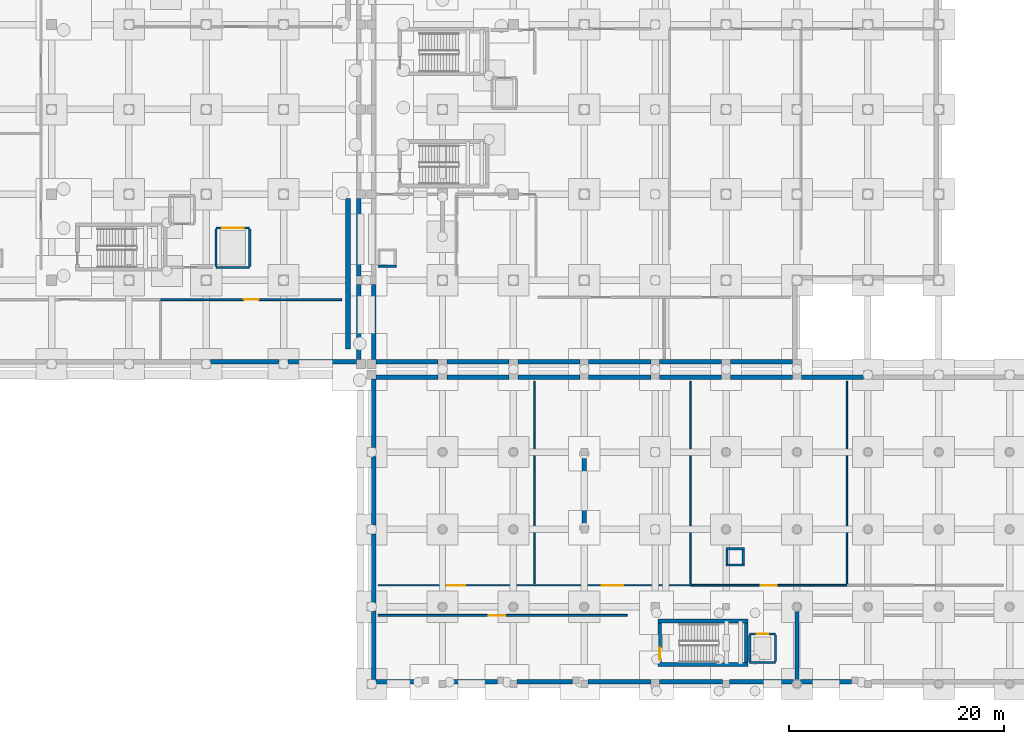
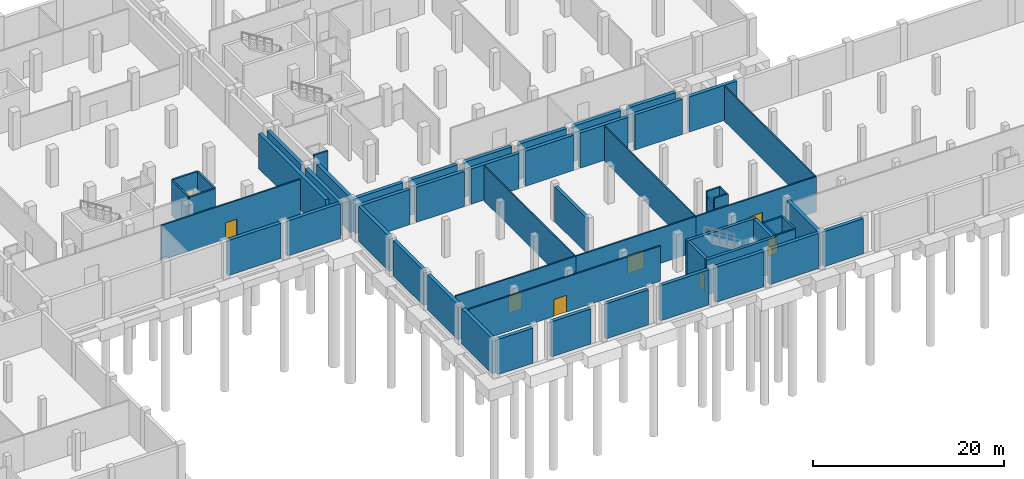
# One storey, part 16 of 29: 57 walls, 8 doors, 8 openings.
"""IFC4 building model written with IfcOpenShell, lengths in metres."""

from ifc_helpers import new_model, si_unit, direction, frame, frame_2d, origin, place, context, subcontext, project, spatial, rectangle, extrude, material, layer, layer_set, type_object, element, fill, save


model = new_model("IFC4")

# Units and contexts
model_context = context("Model", 3, precision=1e-05, world=origin(), true_north=direction((0.0, 1.0)))
body_context = subcontext(model_context, "Body", "Model", "MODEL_VIEW")
ifc_project = project(units=[si_unit("LENGTHUNIT", "METRE"), si_unit("AREAUNIT", "SQUARE_METRE"), si_unit("VOLUMEUNIT", "CUBIC_METRE"), si_unit("PLANEANGLEUNIT", "RADIAN"), si_unit("MASSUNIT", "GRAM", prefix="KILO")], contexts=[model_context])

# Site, building, storey
site_placement = place(None, origin())
site = spatial("IfcSite", under=ifc_project, at=site_placement, CompositionType="ELEMENT")
building_placement = place(site_placement, origin())
building = spatial("IfcBuilding", under=site, at=building_placement, Name="Kelarvand Opera House", CompositionType="ELEMENT")
storey_placement = place(building_placement, frame((0.0, 0.0, -9.60009765625)))
storey = spatial("IfcBuildingStorey", under=building, at=storey_placement, Name="B2", CompositionType="ELEMENT", Elevation=-9.60009765625)

# Walls
ifc_material_1 = material(Name="Concrete C40/50", Category="concrete")
ifc_layer_1 = layer(ifc_material_1, 0.449951171875, Name="Concrete C40/50", Category="concrete")
ifc_layer_set_1 = layer_set([ifc_layer_1], Name="Concrete C40/50")
wall_type_1 = type_object("IfcWallType", Name="Acoustic Proscenium Shear Wall 450", PredefinedType="SHEAR", material=ifc_layer_set_1)
wall_1_placement = place(storey_placement, frame((86.800048828125, 40.199951171875, 0.0), z_axis=(0.0, 0.0, 1.0), x_axis=(0.0, 1.0, 0.0)))
element("IfcWall", 1, at=wall_1_placement, inside=storey, type_object=wall_type_1, Name="V2 Shear Wall PW-120 B2", PredefinedType="SHEAR", context=body_context, shape_type="SweptSolid", body=[
    extrude(rectangle(XDim=14.0, YDim=0.449951171875, at=frame_2d((7.0, 0.0))), origin(), (0.0, 0.0, 1.0), 4.47998046875),
])
ifc_material_2 = material(Name="Acoustic double-stud gypsum partition")
ifc_layer_2 = layer(ifc_material_2, 0.14990234375, Name="Acoustic double-stud gypsum partition")
ifc_layer_set_2 = layer_set([ifc_layer_2], Name="Acoustic double-stud gypsum partition")
wall_type_2 = type_object("IfcWallType", Name="Acoustic Room Partition Wall 150", PredefinedType="PARTITIONING", material=ifc_layer_set_2)
for number, where, z_axis, x_axis, name in (
    (2, (104.14990234375, 18.340087890625, 0.0), (0.0, 0.0, 1.0), (0.0, 1.0, 0.0), "V6 B2 Partition Wall IW-150 (102)"),
    (3, (118.699951171875, 18.340087890625, 0.0), (0.0, 0.0, 1.0), (0.0, 1.0, 0.0), "V6 B2 Partition Wall IW-150 (104)"),
    (4, (133.25, 18.340087890625, 0.0), (0.0, 0.0, 1.0), (0.0, 1.0, 0.0), "V6 B2 Partition Wall IW-150 (106)"),
):
    element("IfcWall", number, at=place(storey_placement, frame(where, z_axis=z_axis, x_axis=x_axis)), inside=storey, type_object=wall_type_2, Name=name, PredefinedType="PARTITIONING", context=body_context, shape_type="SweptSolid", body=[
        extrude(rectangle(XDim=18.85986328125, YDim=0.14990234375, at=frame_2d((9.429931640625, 0.0))), origin(), (0.0, 0.0, 1.0), 4.4921875),
    ])
ifc_material_3 = material(Name="Concrete C35/45", Category="concrete")
ifc_layer_3 = layer(ifc_material_3, 0.419921875, Name="Concrete C35/45", Category="concrete")
ifc_layer_set_3 = layer_set([ifc_layer_3], Name="Concrete C35/45")
wall_type_3 = type_object("IfcWallType", Name="Basement Perimeter Retaining Wall 420", PredefinedType="SHEAR", material=ifc_layer_set_3)
for number, where, z_axis, x_axis, name in (
    (5, (128.18994140625, 39.010009765625, 0.0), (0.0, 0.0, 1.0), (-1.0, 0.0, 0.0), "V1 B2 Retaining Wall 1"),
    (6, (121.590087890625, 39.010009765625, 0.0), (0.0, 0.0, 1.0), (-1.0, 0.0, 0.0), "V1 B2 Retaining Wall 2"),
    (7, (114.989990234375, 39.010009765625, 0.0), (0.0, 0.0, 1.0), (-1.0, 0.0, 0.0), "V1 B2 Retaining Wall 3"),
):
    element("IfcWall", number, at=place(storey_placement, frame(where, z_axis=z_axis, x_axis=x_axis)), inside=storey, type_object=wall_type_3, Name=name, PredefinedType="SHEAR", context=body_context, shape_type="SweptSolid", body=[
        extrude(rectangle(XDim=5.780029296875, YDim=0.419921875, at=frame_2d((2.89013671875, 0.0))), origin(), (0.0, 0.0, 1.0), 4.5),
    ])
wall_2_placement = place(storey_placement, frame((108.389892578125, 39.010009765625, 0.0), z_axis=(0.0, 0.0, 1.0), x_axis=(-1.0, 0.0, 0.0)))
element("IfcWall", 8, at=wall_2_placement, inside=storey, type_object=wall_type_3, Name="V1 B2 Retaining Wall 4", PredefinedType="SHEAR", context=body_context, shape_type="SweptSolid", body=[
    extrude(rectangle(XDim=5.77978515625, YDim=0.419921875, at=frame_2d((2.889892578125, 0.0))), origin(), (0.0, 0.0, 1.0), 4.5),
])
for number, where, z_axis, x_axis, name in (
    (9, (101.7900390625, 39.010009765625, 0.0), (0.0, 0.0, 1.0), (-1.0, 0.0, 0.0), "V1 B2 Retaining Wall 5"),
    (10, (95.18994140625, 39.010009765625, 0.0), (0.0, 0.0, 1.0), (-1.0, 0.0, 0.0), "V1 B2 Retaining Wall 6"),
):
    element("IfcWall", number, at=place(storey_placement, frame(where, z_axis=z_axis, x_axis=x_axis)), inside=storey, type_object=wall_type_3, Name=name, PredefinedType="SHEAR", context=body_context, shape_type="SweptSolid", body=[
        extrude(rectangle(XDim=5.780029296875, YDim=0.419921875, at=frame_2d((2.89013671875, 0.0))), origin(), (0.0, 0.0, 1.0), 4.5),
    ])
wall_3_placement = place(storey_placement, frame((89.2099609375, 39.2099609375, 0.0), z_axis=(0.0, 0.0, 1.0), x_axis=(0.0, 1.0, 0.0)))
element("IfcWall", 11, at=wall_3_placement, inside=storey, type_object=wall_type_3, Name="V1 B2 Retaining Wall 7", PredefinedType="SHEAR", context=body_context, shape_type="SweptSolid", body=[
    extrude(rectangle(XDim=6.97998046875, YDim=0.419921875, at=frame_2d((3.489990234375, 0.0))), origin(), (0.0, 0.0, 1.0), 4.5),
])
wall_4_placement = place(storey_placement, frame((87.7900390625, 54.18994140625, 0.0), z_axis=(0.0, 0.0, 1.0), x_axis=(0.0, -1.0, 0.0)))
element("IfcWall", 12, at=wall_4_placement, inside=storey, type_object=wall_type_3, Name="V2 B2 Retaining Wall 180", PredefinedType="SHEAR", context=body_context, shape_type="SweptSolid", body=[
    extrude(rectangle(XDim=7.179931640625, YDim=0.419921875, at=frame_2d((3.58984375, 0.0))), origin(), (0.0, 0.0, 1.0), 4.5),
])
wall_5_placement = place(storey_placement, frame((87.7900390625, 46.18994140625, 0.0), z_axis=(0.0, 0.0, 1.0), x_axis=(0.0, -1.0, 0.0)))
element("IfcWall", 13, at=wall_5_placement, inside=storey, type_object=wall_type_3, Name="V2 B2 Retaining Wall 181", PredefinedType="SHEAR", context=body_context, shape_type="SweptSolid", body=[
    extrude(rectangle(XDim=6.97998046875, YDim=0.419921875, at=frame_2d((3.489990234375, 0.0))), origin(), (0.0, 0.0, 1.0), 4.5),
])
wall_6_placement = place(storey_placement, frame((87.590087890625, 39.010009765625, 0.0), z_axis=(0.0, 0.0, 1.0), x_axis=(-1.0, 0.0, 0.0)))
element("IfcWall", 14, at=wall_6_placement, inside=storey, type_object=wall_type_3, Name="V2 B2 Retaining Wall 193", PredefinedType="SHEAR", context=body_context, shape_type="SweptSolid", body=[
    extrude(rectangle(XDim=6.380126953125, YDim=0.419921875, at=frame_2d((3.18994140625, 0.0))), origin(), (0.0, 0.0, 1.0), 4.5),
])
wall_7_placement = place(storey_placement, frame((80.389892578125, 39.010009765625, 0.0), z_axis=(0.0, 0.0, 1.0), x_axis=(-1.0, 0.0, 0.0)))
element("IfcWall", 15, at=wall_7_placement, inside=storey, type_object=wall_type_3, Name="V2 B2 Retaining Wall 194", PredefinedType="SHEAR", context=body_context, shape_type="SweptSolid", body=[
    extrude(rectangle(XDim=6.3798828125, YDim=0.419921875, at=frame_2d((3.18994140625, 0.0))), origin(), (0.0, 0.0, 1.0), 4.5),
])
for number, where, z_axis, x_axis, name in (
    (16, (89.409912109375, 37.590087890625, 0.0), (0.0, 0.0, 1.0), (1.0, 0.0, 0.0), "V6 B2 Retaining Wall 637"),
    (17, (96.010009765625, 37.590087890625, 0.0), (0.0, 0.0, 1.0), (1.0, 0.0, 0.0), "V6 B2 Retaining Wall 638"),
):
    element("IfcWall", number, at=place(storey_placement, frame(where, z_axis=z_axis, x_axis=x_axis)), inside=storey, type_object=wall_type_3, Name=name, PredefinedType="SHEAR", context=body_context, shape_type="SweptSolid", body=[
        extrude(rectangle(XDim=5.780029296875, YDim=0.419921875, at=frame_2d((2.89013671875, 0.0))), origin(), (0.0, 0.0, 1.0), 4.5),
    ])
wall_8_placement = place(storey_placement, frame((102.610107421875, 37.590087890625, 0.0), z_axis=(0.0, 0.0, 1.0), x_axis=(1.0, 0.0, 0.0)))
element("IfcWall", 18, at=wall_8_placement, inside=storey, type_object=wall_type_3, Name="V6 B2 Retaining Wall 639", PredefinedType="SHEAR", context=body_context, shape_type="SweptSolid", body=[
    extrude(rectangle(XDim=5.77978515625, YDim=0.419921875, at=frame_2d((2.889892578125, 0.0))), origin(), (0.0, 0.0, 1.0), 4.5),
])
for number, where, z_axis, x_axis, name in (
    (19, (109.2099609375, 37.590087890625, 0.0), (0.0, 0.0, 1.0), (1.0, 0.0, 0.0), "V6 B2 Retaining Wall 640"),
    (20, (115.81005859375, 37.590087890625, 0.0), (0.0, 0.0, 1.0), (1.0, 0.0, 0.0), "V6 B2 Retaining Wall 641"),
    (21, (122.409912109375, 37.590087890625, 0.0), (0.0, 0.0, 1.0), (1.0, 0.0, 0.0), "V6 B2 Retaining Wall 642"),
    (22, (129.010009765625, 37.590087890625, 0.0), (0.0, 0.0, 1.0), (1.0, 0.0, 0.0), "V6 B2 Retaining Wall 643"),
):
    element("IfcWall", number, at=place(storey_placement, frame(where, z_axis=z_axis, x_axis=x_axis)), inside=storey, type_object=wall_type_3, Name=name, PredefinedType="SHEAR", context=body_context, shape_type="SweptSolid", body=[
        extrude(rectangle(XDim=5.780029296875, YDim=0.419921875, at=frame_2d((2.89013671875, 0.0))), origin(), (0.0, 0.0, 1.0), 4.5),
    ])
wall_9_placement = place(storey_placement, frame((89.2099609375, 9.409912109375, 0.0), z_axis=(0.0, 0.0, 1.0), x_axis=(0.0, 1.0, 0.0)))
element("IfcWall", 23, at=wall_9_placement, inside=storey, type_object=wall_type_3, Name="V6 B2 Retaining Wall 649", PredefinedType="SHEAR", context=body_context, shape_type="SweptSolid", body=[
    extrude(rectangle(XDim=6.380126953125, YDim=0.419921875, at=frame_2d((3.18994140625, 0.0))), origin(), (0.0, 0.0, 1.0), 4.5),
])
for number, where, z_axis, x_axis, name in (
    (24, (89.2099609375, 16.610107421875, 0.0), (0.0, 0.0, 1.0), (0.0, 1.0, 0.0), "V6 B2 Retaining Wall 650"),
    (25, (89.2099609375, 23.81005859375, 0.0), (0.0, 0.0, 1.0), (0.0, 1.0, 0.0), "V6 B2 Retaining Wall 651"),
    (26, (89.2099609375, 31.010009765625, 0.0), (0.0, 0.0, 1.0), (0.0, 1.0, 0.0), "V6 B2 Retaining Wall 652"),
):
    element("IfcWall", number, at=place(storey_placement, frame(where, z_axis=z_axis, x_axis=x_axis)), inside=storey, type_object=wall_type_3, Name=name, PredefinedType="SHEAR", context=body_context, shape_type="SweptSolid", body=[
        extrude(rectangle(XDim=6.3798828125, YDim=0.419921875, at=frame_2d((3.18994140625, 0.0))), origin(), (0.0, 0.0, 1.0), 4.5),
    ])
wall_10_placement = place(storey_placement, frame((133.699951171875, 9.2099609375, 0.0), z_axis=(0.0, 0.0, 1.0), x_axis=(-1.0, 0.0, 0.0)))
element("IfcWall", 27, at=wall_10_placement, inside=storey, type_object=wall_type_3, Name="V6 B2 Retaining Wall 658", PredefinedType="SHEAR", context=body_context, shape_type="SweptSolid", body=[
    extrude(rectangle(XDim=4.77490234375, YDim=0.419921875, at=frame_2d((2.387451171875, 0.0))), origin(), (0.0, 0.0, 1.0), 4.5),
])
wall_11_placement = place(storey_placement, frame((128.27490234375, 9.2099609375, 0.0), z_axis=(0.0, 0.0, 1.0), x_axis=(-1.0, 0.0, 0.0)))
element("IfcWall", 28, at=wall_11_placement, inside=storey, type_object=wall_type_3, Name="V6 B2 Retaining Wall 659", PredefinedType="SHEAR", context=body_context, shape_type="SweptSolid", body=[
    extrude(rectangle(XDim=5.949951171875, YDim=0.419921875, at=frame_2d((2.97509765625, 0.0))), origin(), (0.0, 0.0, 1.0), 4.5),
])
for number, where, z_axis, x_axis, name in (
    (29, (121.675048828125, 9.2099609375, 0.0), (0.0, 0.0, 1.0), (-1.0, 0.0, 0.0), "V6 B2 Retaining Wall 660"),
    (30, (114.989990234375, 9.2099609375, 0.0), (0.0, 0.0, 1.0), (-1.0, 0.0, 0.0), "V6 B2 Retaining Wall 661"),
):
    element("IfcWall", number, at=place(storey_placement, frame(where, z_axis=z_axis, x_axis=x_axis)), inside=storey, type_object=wall_type_3, Name=name, PredefinedType="SHEAR", context=body_context, shape_type="SweptSolid", body=[
        extrude(rectangle(XDim=5.864990234375, YDim=0.419921875, at=frame_2d((2.9326171875, 0.0))), origin(), (0.0, 0.0, 1.0), 4.5),
    ])
wall_12_placement = place(storey_placement, frame((107.699951171875, 9.2099609375, 0.0), z_axis=(0.0, 0.0, 1.0), x_axis=(-1.0, 0.0, 0.0)))
element("IfcWall", 31, at=wall_12_placement, inside=storey, type_object=wall_type_3, Name="V6 B2 Retaining Wall 662", PredefinedType="SHEAR", context=body_context, shape_type="SweptSolid", body=[
    extrude(rectangle(XDim=5.175048828125, YDim=0.419921875, at=frame_2d((2.58740234375, 0.0))), origin(), (0.0, 0.0, 1.0), 4.5),
])
wall_13_placement = place(storey_placement, frame((100.699951171875, 9.2099609375, 0.0), z_axis=(0.0, 0.0, 1.0), x_axis=(-1.0, 0.0, 0.0)))
element("IfcWall", 32, at=wall_13_placement, inside=storey, type_object=wall_type_3, Name="V6 B2 Retaining Wall 663", PredefinedType="SHEAR", context=body_context, shape_type="SweptSolid", body=[
    extrude(rectangle(XDim=4.77490234375, YDim=0.419921875, at=frame_2d((2.387451171875, 0.0))), origin(), (0.0, 0.0, 1.0), 4.5),
])
wall_14_placement = place(storey_placement, frame((93.699951171875, 9.2099609375, 0.0), z_axis=(0.0, 0.0, 1.0), x_axis=(-1.0, 0.0, 0.0)))
element("IfcWall", 33, at=wall_14_placement, inside=storey, type_object=wall_type_3, Name="V6 B2 Retaining Wall 664", PredefinedType="SHEAR", context=body_context, shape_type="SweptSolid", body=[
    extrude(rectangle(XDim=4.2900390625, YDim=0.419921875, at=frame_2d((2.14501953125, 0.0))), origin(), (0.0, 0.0, 1.0), 4.5),
])
ifc_layer_4 = layer(ifc_material_1, 0.35009765625, Name="Concrete C40/50", Category="concrete")
ifc_layer_set_4 = layer_set([ifc_layer_4], Name="Concrete C40/50")
wall_type_4 = type_object("IfcWallType", Name="Core Stair and Lift Shear Wall 350", PredefinedType="SHEAR", material=ifc_layer_set_4)
for number, where, z_axis, x_axis, name in (
    (34, (115.64990234375, 10.824951171875, 0.0), (0.0, 0.0, 1.0), (1.0, 0.0, 0.0), "C8 Stair Core Shear Wall S B2"),
    (35, (124.050048828125, 14.875, 0.0), (0.0, 0.0, 1.0), (-1.0, 0.0, 0.0), "C8 Stair Core Shear Wall N B2"),
):
    element("IfcWall", number, at=place(storey_placement, frame(where, z_axis=z_axis, x_axis=x_axis)), inside=storey, type_object=wall_type_4, Name=name, PredefinedType="SHEAR", context=body_context, shape_type="SweptSolid", body=[
        extrude(rectangle(XDim=8.400146484375, YDim=0.35009765625, at=frame_2d((4.2001953125, 0.0))), origin(), (0.0, 0.0, 1.0), 4.5),
    ])

# Wall, opening, door
wall_15_placement = place(storey_placement, frame((115.824951171875, 11.0, 0.0), z_axis=(0.0, 0.0, 1.0), x_axis=(0.0, 1.0, 0.0)))
wall_15 = element("IfcWall", 36, at=wall_15_placement, inside=storey, type_object=wall_type_4, Name="C8 Stair Core Shear Wall W B2", PredefinedType="SHEAR", context=body_context, shape_type="SweptSolid", body=[
    extrude(rectangle(XDim=3.699951171875, YDim=0.35009765625, at=frame_2d((1.85009765625, 0.0))), origin(), (0.0, 0.0, 1.0), 4.5),
])
opening_1_placement = place(wall_15_placement, frame((0.280029296875, 0.0, 0.0)))
opening_1 = element("IfcOpeningElement", 37, at=opening_1_placement, cuts=wall_15, Name="Opening FD-01", PredefinedType="OPENING", context=body_context, shape_type="SweptSolid", body=[
    extrude(rectangle(XDim=1.10009765625, YDim=2.080078125, at=frame_2d((0.550048828125, 1.0400390625))), frame((0.0, 0.18505859375, 0.0), z_axis=(0.0, -1.0, 0.0), x_axis=(1.0, 0.0, 0.0)), (0.0, 0.0, 1.0), 0.3701171875),
])
ifc_material_4 = material(Name="Fire-rated brushed stainless steel", Category="steel")
door_type_1 = type_object("IfcDoorType", Name="Steel Fire-Rated Stair and FF Lobby Door 1100x2080", OperationType="NOTDEFINED", PredefinedType="DOOR", material=ifc_material_4)
door_1_placement = place(opening_1_placement, origin())
door_1 = element("IfcDoor", 38, at=door_1_placement, inside=storey, type_object=door_type_1, Name="C8 Stair ST-08 Fire Door B2", OperationType="SINGLE_SWING_RIGHT", OverallHeight=2.080078125, OverallWidth=1.10009765625, PredefinedType="DOOR", context=body_context, shape_type="SweptSolid", body=[
    extrude(rectangle(XDim=1.10009765625, YDim=2.080078125, at=frame_2d((0.550048828125, 1.0400390625))), frame((0.0, 0.02490234375, 0.0), z_axis=(0.0, -1.0, 0.0), x_axis=(1.0, 0.0, 0.0)), (0.0, 0.0, 1.0), 0.050048828125),
])
fill(opening_1, door_1)

# Wall
wall_16_placement = place(storey_placement, frame((123.875, 14.699951171875, 0.0), z_axis=(0.0, 0.0, 1.0), x_axis=(0.0, -1.0, 0.0)))
element("IfcWall", 39, at=wall_16_placement, inside=storey, type_object=wall_type_4, Name="C8 Stair Core Shear Wall E B2", PredefinedType="SHEAR", context=body_context, shape_type="SweptSolid", body=[
    extrude(rectangle(XDim=3.699951171875, YDim=0.35009765625, at=frame_2d((1.85009765625, 0.0))), origin(), (0.0, 0.0, 1.0), 4.5),
])

# Wall, opening, door
ifc_layer_5 = layer(ifc_material_3, 0.179931640625, Name="Concrete C35/45", Category="concrete")
ifc_layer_set_5 = layer_set([ifc_layer_5], Name="Concrete C35/45")
wall_type_5 = type_object("IfcWallType", Name="Corridor Fire-Rated Partition Wall 180 EI90", PredefinedType="PARTITIONING", material=ifc_layer_set_5)
wall_17_placement = place(storey_placement, frame((69.35009765625, 44.800048828125, 0.0), z_axis=(0.0, 0.0, 1.0), x_axis=(1.0, 0.0, 0.0)))
wall_17 = element("IfcWall", 40, at=wall_17_placement, inside=storey, type_object=wall_type_5, Name="V2 B2 Partition Wall IW-90 (69)", PredefinedType="PARTITIONING", context=body_context, shape_type="SweptSolid", body=[
    extrude(rectangle(XDim=16.849853515625, YDim=0.179931640625, at=frame_2d((8.4248046875, 0.0))), origin(), (0.0, 0.0, 1.0), 4.4921875),
])
opening_2_placement = place(wall_17_placement, frame((7.72509765625, 0.0, 0.0)))
opening_2 = element("IfcOpeningElement", 41, at=opening_2_placement, cuts=wall_17, Name="Opening D-03", PredefinedType="OPENING", context=body_context, shape_type="SweptSolid", body=[
    extrude(rectangle(XDim=1.39990234375, YDim=2.1201171875, at=frame_2d((0.699951171875, 1.06005859375))), frame((0.0, 0.10009765625, 0.0), z_axis=(0.0, -1.0, 0.0), x_axis=(1.0, 0.0, 0.0)), (0.0, 0.0, 1.0), 0.199951171875),
])
ifc_material_5 = material(Name="Acoustic walnut-veneered hardwood", Category="wood")
door_type_2 = type_object("IfcDoorType", Name="Plant and Archive Double Leaf Door 1400x2120", OperationType="NOTDEFINED", PredefinedType="DOOR", material=ifc_material_5)
door_2_placement = place(opening_2_placement, origin())
door_2 = element("IfcDoor", 42, at=door_2_placement, inside=storey, type_object=door_type_2, Name="V2 B2 Door D-03 (27)", OperationType="DOUBLE_DOOR_SINGLE_SWING", OverallHeight=2.1201171875, OverallWidth=1.39990234375, PredefinedType="DOOR", context=body_context, shape_type="SweptSolid", body=[
    extrude(rectangle(XDim=1.39990234375, YDim=2.1201171875, at=frame_2d((0.699951171875, 1.06005859375))), frame((0.0, 0.02490234375, 0.0), z_axis=(0.0, -1.0, 0.0), x_axis=(1.0, 0.0, 0.0)), (0.0, 0.0, 1.0), 0.050048828125),
])
fill(opening_2, door_2)

wall_18_placement = place(storey_placement, frame((89.60009765625, 15.39990234375, 0.0), z_axis=(0.0, 0.0, 1.0), x_axis=(1.0, 0.0, 0.0)))
wall_18 = element("IfcWall", 43, at=wall_18_placement, inside=storey, type_object=wall_type_5, Name="V6 B2 Partition Wall IW-90 (99)", PredefinedType="PARTITIONING", context=body_context, shape_type="SweptSolid", body=[
    extrude(rectangle(XDim=23.199951171875, YDim=0.179931640625, at=frame_2d((11.60009765625, 0.0))), origin(), (0.0, 0.0, 1.0), 4.4921875),
])
opening_3_placement = place(wall_18_placement, frame((10.320068359375, 0.0, 0.0)))
opening_3 = element("IfcOpeningElement", 44, at=opening_3_placement, cuts=wall_18, Name="Opening D-07", PredefinedType="OPENING", context=body_context, shape_type="SweptSolid", body=[
    extrude(rectangle(XDim=1.5, YDim=2.14990234375, at=frame_2d((0.75, 1.074951171875))), frame((0.0, 0.10009765625, 0.0), z_axis=(0.0, -1.0, 0.0), x_axis=(1.0, 0.0, 0.0)), (0.0, 0.0, 1.0), 0.199951171875),
])
door_type_3 = type_object("IfcDoorType", Name="Rehearsal Instrument Double Door 1500x2150", OperationType="NOTDEFINED", PredefinedType="DOOR", material=ifc_material_5)
door_3_placement = place(opening_3_placement, origin())
door_3 = element("IfcDoor", 45, at=door_3_placement, inside=storey, type_object=door_type_3, Name="V6 B2 Door D-07 (42)", OperationType="DOUBLE_DOOR_SINGLE_SWING", OverallHeight=2.14990234375, OverallWidth=1.5, PredefinedType="DOOR", context=body_context, shape_type="SweptSolid", body=[
    extrude(rectangle(XDim=1.5, YDim=2.14990234375, at=frame_2d((0.75, 1.074951171875))), frame((0.0, 0.02490234375, 0.0), z_axis=(0.0, -1.0, 0.0), x_axis=(1.0, 0.0, 0.0)), (0.0, 0.0, 1.0), 0.050048828125),
])
fill(opening_3, door_3)

wall_19_placement = place(storey_placement, frame((89.60009765625, 18.199951171875, 0.0), z_axis=(0.0, 0.0, 1.0), x_axis=(1.0, 0.0, 0.0)))
wall_19 = element("IfcWall", 46, at=wall_19_placement, inside=storey, type_object=wall_type_5, Name="V6 B2 Partition Wall IW-90 (101)", PredefinedType="PARTITIONING", context=body_context, shape_type="SweptSolid", body=[
    extrude(rectangle(XDim=14.5498046875, YDim=0.179931640625, at=frame_2d((7.27490234375, 0.0))), origin(), (0.0, 0.0, 1.0), 4.4921875),
])
opening_4_placement = place(wall_19_placement, frame((6.449951171875, 0.0, 0.0)))
opening_4 = element("IfcOpeningElement", 47, at=opening_4_placement, cuts=wall_19, Name="Opening D-14", PredefinedType="OPENING", context=body_context, shape_type="SweptSolid", body=[
    extrude(rectangle(XDim=1.64990234375, YDim=2.199951171875, at=frame_2d((0.824951171875, 1.10009765625))), frame((0.0, 0.10009765625, 0.0), z_axis=(0.0, -1.0, 0.0), x_axis=(1.0, 0.0, 0.0)), (0.0, 0.0, 1.0), 0.199951171875),
])
door_type_4 = type_object("IfcDoorType", Name="Foyer Lounge Double Door 1650x2200", OperationType="NOTDEFINED", PredefinedType="DOOR", material=ifc_material_5)
door_4_placement = place(opening_4_placement, origin())
door_4 = element("IfcDoor", 48, at=door_4_placement, inside=storey, type_object=door_type_4, Name="V6 B2 Door D-14 (44)", OperationType="DOUBLE_DOOR_SINGLE_SWING", OverallHeight=2.199951171875, OverallWidth=1.64990234375, PredefinedType="DOOR", context=body_context, shape_type="SweptSolid", body=[
    extrude(rectangle(XDim=1.64990234375, YDim=2.199951171875, at=frame_2d((0.824951171875, 1.10009765625))), frame((0.0, 0.02490234375, 0.0), z_axis=(0.0, -1.0, 0.0), x_axis=(1.0, 0.0, 0.0)), (0.0, 0.0, 1.0), 0.050048828125),
])
fill(opening_4, door_4)

wall_20_placement = place(storey_placement, frame((104.14990234375, 18.199951171875, 0.0), z_axis=(0.0, 0.0, 1.0), x_axis=(1.0, 0.0, 0.0)))
wall_20 = element("IfcWall", 49, at=wall_20_placement, inside=storey, type_object=wall_type_5, Name="V6 B2 Partition Wall IW-90 (103)", PredefinedType="PARTITIONING", context=body_context, shape_type="SweptSolid", body=[
    extrude(rectangle(XDim=14.550048828125, YDim=0.179931640625, at=frame_2d((7.27490234375, 0.0))), origin(), (0.0, 0.0, 1.0), 4.4921875),
])
opening_5_placement = place(wall_20_placement, frame((6.27490234375, 0.0, 0.0)))
opening_5 = element("IfcOpeningElement", 50, at=opening_5_placement, cuts=wall_20, Name="Opening D-17", PredefinedType="OPENING", context=body_context, shape_type="SweptSolid", body=[
    extrude(rectangle(XDim=2.0, YDim=2.280029296875, at=frame_2d((1.0, 1.14013671875))), frame((0.0, 0.10009765625, 0.0), z_axis=(0.0, -1.0, 0.0), x_axis=(1.0, 0.0, 0.0)), (0.0, 0.0, 1.0), 0.199951171875),
])
door_type_5 = type_object("IfcDoorType", Name="Workshop Scenery Double Door 2000x2280", OperationType="NOTDEFINED", PredefinedType="DOOR", material=ifc_material_5)
door_5_placement = place(opening_5_placement, origin())
door_5 = element("IfcDoor", 51, at=door_5_placement, inside=storey, type_object=door_type_5, Name="V6 B2 Door D-17 (45)", OperationType="DOUBLE_DOOR_SINGLE_SWING", OverallHeight=2.280029296875, OverallWidth=2.0, PredefinedType="DOOR", context=body_context, shape_type="SweptSolid", body=[
    extrude(rectangle(XDim=2.0, YDim=2.280029296875, at=frame_2d((1.0, 1.14013671875))), frame((0.0, 0.02490234375, 0.0), z_axis=(0.0, -1.0, 0.0), x_axis=(1.0, 0.0, 0.0)), (0.0, 0.0, 1.0), 0.050048828125),
])
fill(opening_5, door_5)

wall_21_placement = place(storey_placement, frame((118.699951171875, 18.199951171875, 0.0), z_axis=(0.0, 0.0, 1.0), x_axis=(1.0, 0.0, 0.0)))
wall_21 = element("IfcWall", 52, at=wall_21_placement, inside=storey, type_object=wall_type_5, Name="V6 B2 Partition Wall IW-90 (105)", PredefinedType="PARTITIONING", context=body_context, shape_type="SweptSolid", body=[
    extrude(rectangle(XDim=14.550048828125, YDim=0.179931640625, at=frame_2d((7.27490234375, 0.0))), origin(), (0.0, 0.0, 1.0), 4.4921875),
])
opening_6_placement = place(wall_21_placement, frame((6.534912109375, 0.0, 0.0)))
opening_6 = element("IfcOpeningElement", 53, at=opening_6_placement, cuts=wall_21, Name="Opening D-13", PredefinedType="OPENING", context=body_context, shape_type="SweptSolid", body=[
    extrude(rectangle(XDim=1.47998046875, YDim=2.179931640625, at=frame_2d((0.739990234375, 1.08984375))), frame((0.0, 0.10009765625, 0.0), z_axis=(0.0, -1.0, 0.0), x_axis=(1.0, 0.0, 0.0)), (0.0, 0.0, 1.0), 0.199951171875),
])
door_type_6 = type_object("IfcDoorType", Name="Academy Recital Double Door 1480x2180", OperationType="NOTDEFINED", PredefinedType="DOOR", material=ifc_material_5)
door_6_placement = place(opening_6_placement, origin())
door_6 = element("IfcDoor", 54, at=door_6_placement, inside=storey, type_object=door_type_6, Name="V6 B2 Door D-13 (46)", OperationType="DOUBLE_DOOR_SINGLE_SWING", OverallHeight=2.179931640625, OverallWidth=1.47998046875, PredefinedType="DOOR", context=body_context, shape_type="SweptSolid", body=[
    extrude(rectangle(XDim=1.47998046875, YDim=2.179931640625, at=frame_2d((0.739990234375, 1.08984375))), frame((0.0, 0.02490234375, 0.0), z_axis=(0.0, -1.0, 0.0), x_axis=(1.0, 0.0, 0.0)), (0.0, 0.0, 1.0), 0.050048828125),
])
fill(opening_6, door_6)

# Walls
ifc_layer_6 = layer(ifc_material_3, 0.199951171875, Name="Concrete C35/45", Category="concrete")
ifc_layer_set_6 = layer_set([ifc_layer_6], Name="Concrete C35/45")
wall_type_6 = type_object("IfcWallType", Name="Lift and Riser Shaft Enclosure Wall 200 EI120", PredefinedType="PARTITIONING", material=ifc_layer_set_6)
for number, where, z_axis, x_axis, name in (
    (55, (89.60009765625, 47.89990234375, 0.0), (0.0, 0.0, 1.0), (1.0, 0.0, 0.0), "RSR-V1 B2 Riser Shaft Wall 1"),
    (56, (122.0, 20.10009765625, 0.0), (0.0, 0.0, 1.0), (1.0, 0.0, 0.0), "RSR-V6 B2 Riser Shaft Wall 133"),
    (57, (123.699951171875, 21.60009765625, 0.0), (0.0, 0.0, 1.0), (-1.0, 0.0, 0.0), "RSR-V6 B2 Riser Shaft Wall 134"),
):
    element("IfcWall", number, at=place(storey_placement, frame(where, z_axis=z_axis, x_axis=x_axis)), inside=storey, type_object=wall_type_6, Name=name, PredefinedType="PARTITIONING", context=body_context, shape_type="SweptSolid", body=[
        extrude(rectangle(XDim=1.699951171875, YDim=0.199951171875, at=frame_2d((0.85009765625, 0.0))), origin(), (0.0, 0.0, 1.0), 4.5),
    ])
wall_22_placement = place(storey_placement, frame((122.10009765625, 20.199951171875, 0.0), z_axis=(0.0, 0.0, 1.0), x_axis=(0.0, 1.0, 0.0)))
element("IfcWall", 58, at=wall_22_placement, inside=storey, type_object=wall_type_6, Name="RSR-V6 B2 Riser Shaft Wall 135", PredefinedType="PARTITIONING", context=body_context, shape_type="SweptSolid", body=[
    extrude(rectangle(XDim=1.300048828125, YDim=0.199951171875, at=frame_2d((0.64990234375, 0.0))), origin(), (0.0, 0.0, 1.0), 3.7421875),
])
wall_23_placement = place(storey_placement, frame((123.60009765625, 21.5, 0.0), z_axis=(0.0, 0.0, 1.0), x_axis=(0.0, -1.0, 0.0)))
element("IfcWall", 59, at=wall_23_placement, inside=storey, type_object=wall_type_6, Name="RSR-V6 B2 Riser Shaft Wall 136", PredefinedType="PARTITIONING", context=body_context, shape_type="SweptSolid", body=[
    extrude(rectangle(XDim=1.300048828125, YDim=0.199951171875, at=frame_2d((0.64990234375, 0.0))), origin(), (0.0, 0.0, 1.0), 4.5),
])
wall_24_placement = place(storey_placement, frame((74.5, 47.800048828125, 0.0), z_axis=(0.0, 0.0, 1.0), x_axis=(1.0, 0.0, 0.0)))
element("IfcWall", 60, at=wall_24_placement, inside=storey, type_object=wall_type_6, Name="V2 B2 Partition Wall SW-200 (12)", PredefinedType="PARTITIONING", context=body_context, shape_type="SweptSolid", body=[
    extrude(rectangle(XDim=3.14990234375, YDim=0.199951171875, at=frame_2d((1.574951171875, 0.0))), origin(), (0.0, 0.0, 1.0), 4.4921875),
])

# Wall, opening, door
wall_25_placement = place(storey_placement, frame((77.64990234375, 51.449951171875, 0.0), z_axis=(0.0, 0.0, 1.0), x_axis=(-1.0, 0.0, 0.0)))
wall_25 = element("IfcWall", 61, at=wall_25_placement, inside=storey, type_object=wall_type_6, Name="V2 B2 Partition Wall SW-200 (13)", PredefinedType="PARTITIONING", context=body_context, shape_type="SweptSolid", body=[
    extrude(rectangle(XDim=3.14990234375, YDim=0.199951171875, at=frame_2d((1.574951171875, 0.0))), origin(), (0.0, 0.0, 1.0), 4.4921875),
])
opening_7_placement = place(wall_25_placement, frame((0.574951171875, 0.0, 0.0)))
opening_7 = element("IfcOpeningElement", 62, at=opening_7_placement, cuts=wall_25, Name="Opening LD-03", PredefinedType="OPENING", context=body_context, shape_type="SweptSolid", body=[
    extrude(rectangle(XDim=2.0, YDim=2.35009765625, at=frame_2d((1.0, 1.175048828125))), frame((0.0, 0.10986328125, 0.0), z_axis=(0.0, -1.0, 0.0), x_axis=(1.0, 0.0, 0.0)), (0.0, 0.0, 1.0), 0.219970703125),
])
door_type_7 = type_object("IfcDoorType", Name="Scenery Goods Lift Sliding Landing Door 2000x2350", OperationType="SLIDING_TO_LEFT", PredefinedType="DOOR", material=ifc_material_4)
door_7_placement = place(opening_7_placement, origin())
door_7 = element("IfcDoor", 63, at=door_7_placement, inside=storey, type_object=door_type_7, Name="V2 B2 Door LD-03 (4)", OperationType="SLIDING_TO_LEFT", OverallHeight=2.35009765625, OverallWidth=2.0, PredefinedType="DOOR", context=body_context, shape_type="SweptSolid", body=[
    extrude(rectangle(XDim=2.0, YDim=2.35009765625, at=frame_2d((1.0, 1.175048828125))), frame((0.0, 0.02490234375, 0.0), z_axis=(0.0, -1.0, 0.0), x_axis=(1.0, 0.0, 0.0)), (0.0, 0.0, 1.0), 0.050048828125),
])
fill(opening_7, door_7)

# Walls
for number, where, z_axis, x_axis, name in (
    (64, (74.5, 47.89990234375, 0.0), (0.0, 0.0, 1.0), (0.0, 1.0, 0.0), "V2 B2 Partition Wall SW-200 (14)"),
    (65, (77.64990234375, 51.35009765625, 0.0), (0.0, 0.0, 1.0), (0.0, -1.0, 0.0), "V2 B2 Partition Wall SW-200 (15)"),
):
    element("IfcWall", number, at=place(storey_placement, frame(where, z_axis=z_axis, x_axis=x_axis)), inside=storey, type_object=wall_type_6, Name=name, PredefinedType="PARTITIONING", context=body_context, shape_type="SweptSolid", body=[
        extrude(rectangle(XDim=3.4501953125, YDim=0.199951171875, at=frame_2d((1.72509765625, 0.0))), origin(), (0.0, 0.0, 1.0), 4.4921875),
    ])
wall_26_placement = place(storey_placement, frame((124.199951171875, 11.0, 0.0), z_axis=(0.0, 0.0, 1.0), x_axis=(1.0, 0.0, 0.0)))
element("IfcWall", 66, at=wall_26_placement, inside=storey, type_object=wall_type_6, Name="V6 B2 Partition Wall SW-200 (28)", PredefinedType="PARTITIONING", context=body_context, shape_type="SweptSolid", body=[
    extrude(rectangle(XDim=2.400146484375, YDim=0.199951171875, at=frame_2d((1.2001953125, 0.0))), origin(), (0.0, 0.0, 1.0), 4.4921875),
])

# Wall, opening, door
wall_27_placement = place(storey_placement, frame((126.60009765625, 13.64990234375, 0.0), z_axis=(0.0, 0.0, 1.0), x_axis=(-1.0, 0.0, 0.0)))
wall_27 = element("IfcWall", 67, at=wall_27_placement, inside=storey, type_object=wall_type_6, Name="V6 B2 Partition Wall SW-200 (29)", PredefinedType="PARTITIONING", context=body_context, shape_type="SweptSolid", body=[
    extrude(rectangle(XDim=2.400146484375, YDim=0.199951171875, at=frame_2d((1.2001953125, 0.0))), origin(), (0.0, 0.0, 1.0), 4.4921875),
])
opening_8_placement = place(wall_27_placement, frame((0.64990234375, 0.0, 0.0)))
opening_8 = element("IfcOpeningElement", 68, at=opening_8_placement, cuts=wall_27, Name="Opening LD-01", PredefinedType="OPENING", context=body_context, shape_type="SweptSolid", body=[
    extrude(rectangle(XDim=1.10009765625, YDim=2.14990234375, at=frame_2d((0.550048828125, 1.074951171875))), frame((0.0, 0.10986328125, 0.0), z_axis=(0.0, -1.0, 0.0), x_axis=(1.0, 0.0, 0.0)), (0.0, 0.0, 1.0), 0.219970703125),
])
door_type_8 = type_object("IfcDoorType", Name="Passenger Lift Sliding Landing Door 1100x2150", OperationType="SLIDING_TO_LEFT", PredefinedType="DOOR", material=ifc_material_4)
door_8_placement = place(opening_8_placement, origin())
door_8 = element("IfcDoor", 69, at=door_8_placement, inside=storey, type_object=door_type_8, Name="V6 B2 Door LD-01 (9)", OperationType="SLIDING_TO_LEFT", OverallHeight=2.14990234375, OverallWidth=1.10009765625, PredefinedType="DOOR", context=body_context, shape_type="SweptSolid", body=[
    extrude(rectangle(XDim=1.10009765625, YDim=2.14990234375, at=frame_2d((0.550048828125, 1.074951171875))), frame((0.0, 0.02490234375, 0.0), z_axis=(0.0, -1.0, 0.0), x_axis=(1.0, 0.0, 0.0)), (0.0, 0.0, 1.0), 0.050048828125),
])
fill(opening_8, door_8)

# Walls
for number, where, z_axis, x_axis, name in (
    (70, (124.199951171875, 11.10009765625, 0.0), (0.0, 0.0, 1.0), (0.0, 1.0, 0.0), "V6 B2 Partition Wall SW-200 (30)"),
    (71, (126.60009765625, 13.550048828125, 0.0), (0.0, 0.0, 1.0), (0.0, -1.0, 0.0), "V6 B2 Partition Wall SW-200 (31)"),
):
    element("IfcWall", number, at=place(storey_placement, frame(where, z_axis=z_axis, x_axis=x_axis)), inside=storey, type_object=wall_type_6, Name=name, PredefinedType="PARTITIONING", context=body_context, shape_type="SweptSolid", body=[
        extrude(rectangle(XDim=2.449951171875, YDim=0.199951171875, at=frame_2d((1.22509765625, 0.0))), origin(), (0.0, 0.0, 1.0), 4.4921875),
    ])
ifc_layer_7 = layer(ifc_material_1, 0.39990234375, Name="Concrete C40/50", Category="concrete")
ifc_layer_set_7 = layer_set([ifc_layer_7], Name="Concrete C40/50")
wall_type_7 = type_object("IfcWallType", Name="Seismic Compartment Shear Wall 400", PredefinedType="SHEAR", material=ifc_layer_set_7)
wall_28_placement = place(storey_placement, frame((108.800048828125, 23.72509765625, 0.0), z_axis=(0.0, 0.0, 1.0), x_axis=(0.0, 1.0, 0.0)))
element("IfcWall", 72, at=wall_28_placement, inside=storey, type_object=wall_type_7, Name="V6 Shear Wall CW-120 B2", PredefinedType="SHEAR", context=body_context, shape_type="SweptSolid", body=[
    extrude(rectangle(XDim=6.5498046875, YDim=0.39990234375, at=frame_2d((3.27490234375, 0.0))), origin(), (0.0, 0.0, 1.0), 4.47998046875),
])
wall_29_placement = place(storey_placement, frame((128.60009765625, 9.324951171875, 0.0), z_axis=(0.0, 0.0, 1.0), x_axis=(0.0, 1.0, 0.0)))
element("IfcWall", 73, at=wall_29_placement, inside=storey, type_object=wall_type_7, Name="Vehicle Ramp Toe Support Wall B2", PredefinedType="SHEAR", context=body_context, shape_type="SweptSolid", body=[
    extrude(rectangle(XDim=6.550048828125, YDim=0.39990234375, at=frame_2d((3.27490234375, 0.0))), origin(), (0.0, 0.0, 1.0), 4.5),
])

save(model, "model.ifc")
